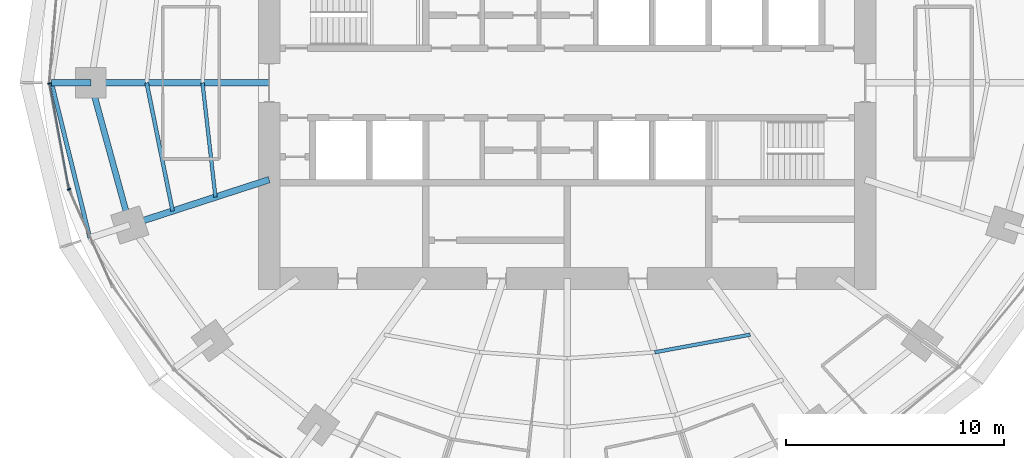
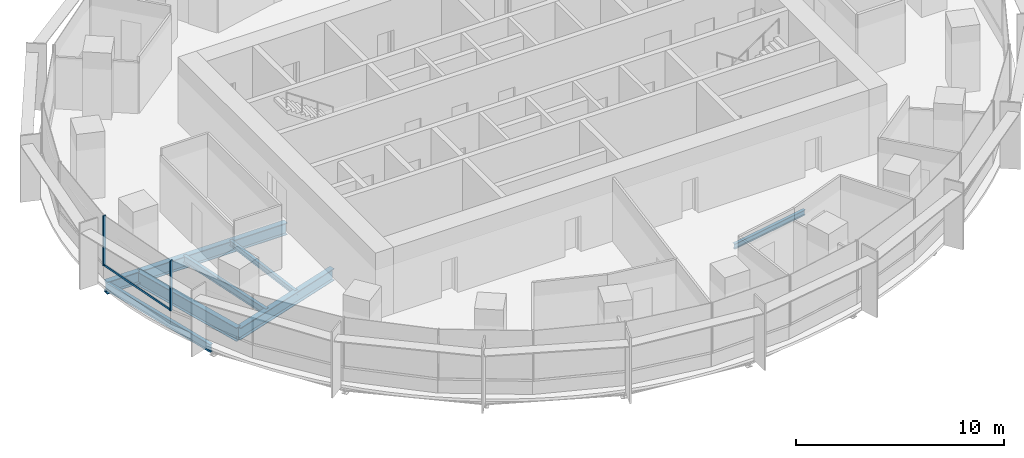
# One storey, part 3 of 15: 8 beams, 3 members, 1 element without a shape of its own.
"""IFC4 building model written with IfcOpenShell, lengths in metres."""

from ifc_helpers import new_model, si_unit, direction, frame, origin, origin_2d, place, context, subcontext, project, spatial, rectangle, i_section, extrude, material, material_profile, profile_set, type_object, element, aggregate, save


model = new_model("IFC4")

# Units and contexts
model_context = context("Model", 3, precision=1e-05, world=origin(), true_north=direction((0.0, 1.0)))
body_context = subcontext(model_context, "Body", "Model", "MODEL_VIEW")
ifc_project = project(units=[si_unit("LENGTHUNIT", "METRE"), si_unit("AREAUNIT", "SQUARE_METRE"), si_unit("VOLUMEUNIT", "CUBIC_METRE"), si_unit("PLANEANGLEUNIT", "RADIAN"), si_unit("MASSUNIT", "GRAM", prefix="KILO")], contexts=[model_context])

# Site, building, storey
site_placement = place(None, origin())
site = spatial("IfcSite", under=ifc_project, at=site_placement, CompositionType="ELEMENT")
building_placement = place(site_placement, origin())
building = spatial("IfcBuilding", under=site, at=building_placement, Name="Marramba Exchange Tower", CompositionType="ELEMENT")
storey_placement = place(building_placement, frame((0.0, 0.0, 191.60009765625)))
storey = spatial("IfcBuildingStorey", under=building, at=storey_placement, Name="L46", CompositionType="ELEMENT", Elevation=191.60009765625)

# Beams
ifc_material_1 = material(Name="Steel AS/NZS 3679.2 grade 300", Category="steel")
ifc_material_profile_1 = material_profile(ifc_material_1, i_section(OverallWidth=0.300048828125, OverallDepth=0.699951171875, WebThickness=0.010009765625, FlangeThickness=0.031982421875, at=origin_2d()), Name="700WB173")
ifc_profile_set_1 = profile_set([ifc_material_profile_1], Name="Steel AS/NZS 3679.2 grade 300")
beam_type_1 = type_object("IfcBeamType", Name="Cantilever girder 700WB173", PredefinedType="BEAM", material=ifc_profile_set_1)
beam_1_placement = place(storey_placement, frame((-21.89990234375, 0.0, -0.510009765625), z_axis=(-1.0, 0.0, 0.0), x_axis=(0.0, -1.0, 0.0)))
element("IfcBeam", 1, at=beam_1_placement, inside=storey, type_object=beam_type_1, Name="Cantilever girder L46 TC11", PredefinedType="BEAM", context=body_context, shape_type="SweptSolid", body=[
    extrude(i_section(OverallWidth=0.300048828125, OverallDepth=0.699951171875, WebThickness=0.010009765625, FlangeThickness=0.031982421875, at=origin_2d()), origin(), (0.0, 0.0, 1.0), 1.80615234375),
])
ifc_material_2 = material(Name="Steel AS/NZS 3679.1 grade 300", Category="steel")
ifc_material_profile_2 = material_profile(ifc_material_2, i_section(OverallWidth=0.166015625, OverallDepth=0.306884765625, WebThickness=0.006591796875, FlangeThickness=0.01171875, FilletRadius=0.011474609375, at=origin_2d()), Name="310UB46.2")
ifc_profile_set_2 = profile_set([ifc_material_profile_2], Name="Steel AS/NZS 3679.1 grade 300")
beam_type_2 = type_object("IfcBeamType", Name="Floor joist 310UB46.2", PredefinedType="JOIST", material=ifc_profile_set_2)
beam_2_placement = place(storey_placement, frame((-16.7666015625, 0.0, -0.3134765625), z_axis=(0.112888968594, -0.993607609054, 0.0), x_axis=(0.993607609054, 0.112888968594, 0.0)))
element("IfcBeam", 2, at=beam_2_placement, inside=storey, type_object=beam_type_2, Name="Joist L46 bay 11 row 1", PredefinedType="JOIST", context=body_context, shape_type="SweptSolid", body=[
    extrude(i_section(OverallWidth=0.166015625, OverallDepth=0.306884765625, WebThickness=0.006591796875, FlangeThickness=0.01171875, FilletRadius=0.011474609375, at=origin_2d()), origin(), (0.0, 0.0, 1.0), 5.28759765625),
])
beam_3_placement = place(storey_placement, frame((4.0244140625, -12.3857421875, -0.3134765625), z_axis=(0.983455754421, 0.181148500119, 0.0), x_axis=(-0.181148500119, 0.983455754421, 0.0)))
element("IfcBeam", 3, at=beam_3_placement, inside=storey, type_object=beam_type_2, Name="Joist L46 bay 17 row 1", PredefinedType="JOIST", context=body_context, shape_type="SweptSolid", body=[
    extrude(i_section(OverallWidth=0.166015625, OverallDepth=0.306884765625, WebThickness=0.006591796875, FlangeThickness=0.01171875, FilletRadius=0.011474609375, at=origin_2d()), origin(), (0.0, 0.0, 1.0), 4.4609375),
])
ifc_material_profile_3 = material_profile(ifc_material_2, i_section(OverallWidth=0.177978515625, OverallDepth=0.406005859375, WebThickness=0.0078125, FlangeThickness=0.0126953125, FilletRadius=0.011474609375, at=origin_2d()), Name="410UB59.7")
ifc_profile_set_3 = profile_set([ifc_material_profile_3], Name="Steel AS/NZS 3679.1 grade 300")
beam_type_3 = type_object("IfcBeamType", Name="Floor joist 410UB59.7", PredefinedType="JOIST", material=ifc_profile_set_3)
beam_4_placement = place(storey_placement, frame((-19.333251953125, 0.0, -0.363037109375), z_axis=(0.198489047047, -0.980103105904, 0.0), x_axis=(0.980103105904, 0.198489047047, 0.0)))
element("IfcBeam", 4, at=beam_4_placement, inside=storey, type_object=beam_type_3, Name="Joist L46 bay 11 row 2", PredefinedType="JOIST", context=body_context, shape_type="SweptSolid", body=[
    extrude(i_section(OverallWidth=0.177978515625, OverallDepth=0.406005859375, WebThickness=0.0078125, FlangeThickness=0.0126953125, FilletRadius=0.011474609375, at=origin_2d()), origin(), (0.0, 0.0, 1.0), 6.013427734375),
])

# Curtain wall, members
ifc_material_3 = material(Name="Aluminium framing, bronze anodised", Category="aluminium")
curtain_wall_type = type_object("IfcCurtainWallType", Name="Office ribbon curtain wall", PredefinedType="USERDEFINED", material=ifc_material_3)
curtain_wall_placement = place(storey_placement, origin())
curtain_wall = element("IfcCurtainWall", 5, at=curtain_wall_placement, inside=storey, type_object=curtain_wall_type, Name="Curtain wall CW4 L46 F16-F20", ObjectType="RIBBON CURTAIN WALL", PredefinedType="USERDEFINED")
ifc_material_4 = material(Name="Aluminium mullion, bronze anodised", Category="aluminium")
ifc_material_profile_4 = material_profile(ifc_material_4, rectangle(XDim=0.159912109375, YDim=0.06005859375, at=origin_2d()), Name="CW4 mullion 60x160")
ifc_profile_set_4 = profile_set([ifc_material_profile_4], Name="Aluminium mullion, bronze anodised")
member_type_1 = type_object("IfcMemberType", Name="Office ribbon curtain wall mullion", PredefinedType="MULLION", material=ifc_profile_set_4)
member_1_placement = place(storey_placement, frame((-23.800537109375, -0.029541015625, 0.7998046875), z_axis=(0.0, 0.0, 1.0), x_axis=(0.983606636184, 0.180327438996, 0.0)))
member_1 = element("IfcMember", 6, at=member_1_placement, type_object=member_type_1, Name="CW4 mullion 1", PredefinedType="MULLION", context=body_context, shape_type="SweptSolid", body=[
    extrude(rectangle(XDim=0.159912109375, YDim=0.06005859375, at=origin_2d()), origin(), (0.0, 0.0, 1.0), 2.940185546875),
])
member_2_placement = place(storey_placement, frame((-22.90087890625, -4.897705078125, 0.7998046875), z_axis=(0.0, 0.0, 1.0), x_axis=(0.913179510401, 0.407557580942, 0.0)))
member_2 = element("IfcMember", 7, at=member_2_placement, type_object=member_type_1, Name="CW4 mullion 1", PredefinedType="MULLION", context=body_context, shape_type="SweptSolid", body=[
    extrude(rectangle(XDim=0.159912109375, YDim=0.06005859375, at=origin_2d()), origin(), (0.0, 0.0, 1.0), 2.940185546875),
])
ifc_material_5 = material(Name="Aluminium transom, bronze anodised", Category="aluminium")
ifc_material_profile_5 = material_profile(ifc_material_5, rectangle(XDim=0.06005859375, YDim=0.1201171875, at=origin_2d()), Name="CW4 transom 60x120")
ifc_profile_set_5 = profile_set([ifc_material_profile_5], Name="Aluminium transom, bronze anodised")
member_type_2 = type_object("IfcMemberType", Name="Office ribbon curtain wall transom", PredefinedType="USERDEFINED", material=ifc_profile_set_5)
member_3_placement = place(storey_placement, frame((-23.795166015625, -0.05908203125, 0.829833984375), z_axis=(0.180330283276, -0.98360611473, 0.0), x_axis=(0.98360611473, 0.180330283276, 0.0)))
member_3 = element("IfcMember", 8, at=member_3_placement, type_object=member_type_2, Name="CW4 sill transom", ObjectType="TRANSOM", PredefinedType="USERDEFINED", context=body_context, shape_type="SweptSolid", body=[
    extrude(rectangle(XDim=0.06005859375, YDim=0.1201171875, at=origin_2d()), origin(), (0.0, 0.0, 1.0), 4.891357421875),
])
aggregate(curtain_wall, [member_1, member_3, member_2])

# Beams
ifc_material_profile_6 = material_profile(ifc_material_1, i_section(OverallWidth=0.300048828125, OverallDepth=0.699951171875, WebThickness=0.010009765625, FlangeThickness=0.031982421875, at=origin_2d()), Name="700WB173")
ifc_profile_set_6 = profile_set([ifc_material_profile_6], Name="Steel AS/NZS 3679.2 grade 300")
beam_type_4 = type_object("IfcBeamType", Name="Radial girder 700WB173", PredefinedType="BEAM", material=ifc_profile_set_6)
beam_5_placement = place(storey_placement, frame((-13.699951171875, 0.0, -0.510009765625), z_axis=(-1.0, 0.0, 0.0), x_axis=(0.0, -1.0, 0.0)))
element("IfcBeam", 9, at=beam_5_placement, inside=storey, type_object=beam_type_4, Name="Radial girder L46 TC11", PredefinedType="BEAM", context=body_context, shape_type="SweptSolid", body=[
    extrude(i_section(OverallWidth=0.300048828125, OverallDepth=0.699951171875, WebThickness=0.010009765625, FlangeThickness=0.031982421875, at=origin_2d()), origin(), (0.0, 0.0, 1.0), 8.199951171875),
])
beam_6_placement = place(storey_placement, frame((-13.699951171875, -4.451416015625, -0.510009765625), z_axis=(-0.951057759669, -0.309013167637, 0.0), x_axis=(0.309013167637, -0.951057759669, 0.0)))
element("IfcBeam", 10, at=beam_6_placement, inside=storey, type_object=beam_type_4, Name="Radial girder L46 TC12", PredefinedType="BEAM", context=body_context, shape_type="SweptSolid", body=[
    extrude(i_section(OverallWidth=0.300048828125, OverallDepth=0.699951171875, WebThickness=0.010009765625, FlangeThickness=0.031982421875, at=origin_2d()), origin(), (0.0, 0.0, 1.0), 6.7392578125),
])
ifc_material_profile_7 = material_profile(ifc_material_1, i_section(OverallWidth=0.27490234375, OverallDepth=0.800048828125, WebThickness=0.010009765625, FlangeThickness=0.02490234375, at=origin_2d()), Name="800WB168")
ifc_profile_set_7 = profile_set([ifc_material_profile_7], Name="Steel AS/NZS 3679.2 grade 300")
beam_type_5 = type_object("IfcBeamType", Name="Ring beam 800WB168", PredefinedType="SPANDREL", material=ifc_profile_set_7)
beam_7_placement = place(storey_placement, frame((-21.89990234375, 0.0, -0.56005859375), z_axis=(0.264291166956, -0.964442937176, 0.0), x_axis=(0.964442937176, 0.264291166956, 0.0)))
element("IfcBeam", 11, at=beam_7_placement, inside=storey, type_object=beam_type_5, Name="Ring beam L46 TC11-TC12", PredefinedType="SPANDREL", context=body_context, shape_type="SweptSolid", body=[
    extrude(i_section(OverallWidth=0.27490234375, OverallDepth=0.800048828125, WebThickness=0.010009765625, FlangeThickness=0.02490234375, at=origin_2d()), origin(), (0.0, 0.0, 1.0), 6.77490234375),
])
ifc_material_profile_8 = material_profile(ifc_material_2, i_section(OverallWidth=0.19091796875, OverallDepth=0.4599609375, WebThickness=0.010009765625, FlangeThickness=0.01611328125, FilletRadius=0.011474609375, at=origin_2d()), Name="460UB82.1")
ifc_profile_set_8 = profile_set([ifc_material_profile_8], Name="Steel AS/NZS 3679.1 grade 300")
beam_type_6 = type_object("IfcBeamType", Name="Slab edge beam 460UB82.1", PredefinedType="SPANDREL", material=ifc_profile_set_8)
beam_8_placement = place(storey_placement, frame((-23.7060546875, 0.0, -0.39013671875), z_axis=(0.23973454413, -0.970838476963, 0.0), x_axis=(0.970838476963, 0.23973454413, 0.0)))
element("IfcBeam", 12, at=beam_8_placement, inside=storey, type_object=beam_type_6, Name="Slab edge beam L46 TC11-TC12", PredefinedType="SPANDREL", context=body_context, shape_type="SweptSolid", body=[
    extrude(i_section(OverallWidth=0.19091796875, OverallDepth=0.4599609375, WebThickness=0.010009765625, FlangeThickness=0.01611328125, FilletRadius=0.011474609375, at=origin_2d()), origin(), (0.0, 0.0, 1.0), 7.344482421875),
])

save(model, "model.ifc")
